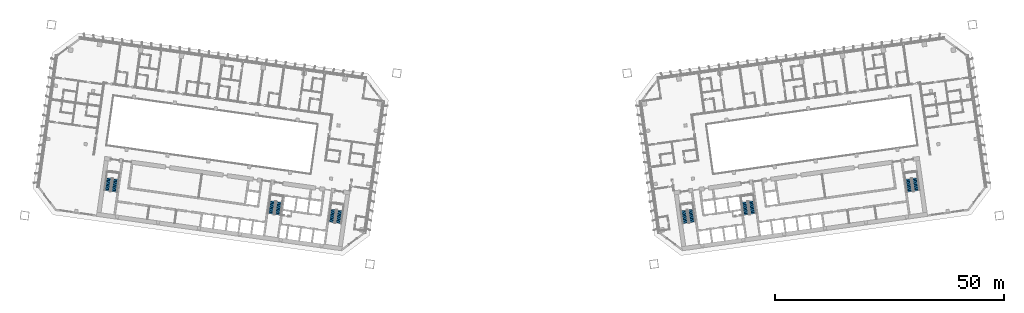
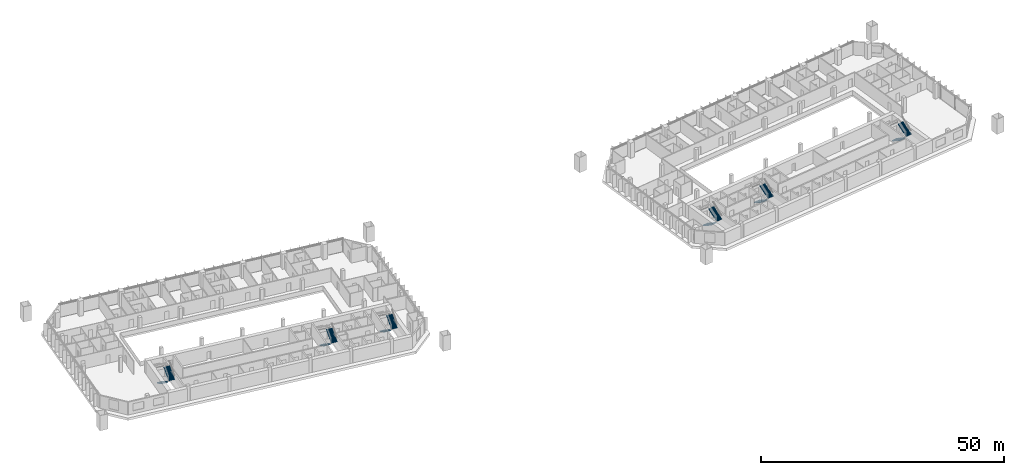
# One storey, part 23 of 25: 12 stair flights, 6 elements without a shape of their own.
"""IFC4 building model written with IfcOpenShell, lengths in metres."""

from ifc_helpers import new_model, si_unit, direction, frame, origin, place, context, subcontext, project, spatial, polyline, outline, extrude, material, type_object, element, aggregate, save


model = new_model("IFC4")

# Units and contexts
model_context = context("Model", 3, precision=1e-05, world=origin(), true_north=direction((0.0, 1.0)))
body_context = subcontext(model_context, "Body", "Model", "MODEL_VIEW")
ifc_project = project(units=[si_unit("LENGTHUNIT", "METRE"), si_unit("AREAUNIT", "SQUARE_METRE"), si_unit("VOLUMEUNIT", "CUBIC_METRE"), si_unit("PLANEANGLEUNIT", "RADIAN"), si_unit("MASSUNIT", "GRAM", prefix="KILO")], contexts=[model_context])

# Site, building, storey
site_placement = place(None, origin())
site = spatial("IfcSite", under=ifc_project, at=site_placement, CompositionType="ELEMENT")
building_placement = place(site_placement, origin())
building = spatial("IfcBuilding", under=site, at=building_placement, Name="Mirante Cascada Hotel Towers", CompositionType="ELEMENT")
storey_placement = place(building_placement, frame((0.0, 0.0, 62.3)))
storey = spatial("IfcBuildingStorey", under=building, at=storey_placement, Name="L12", CompositionType="ELEMENT", Elevation=62.3)

# Stair, stair flights
ifc_material_1 = material(Name="Concrete C35/45", Category="concrete")
stair_type = type_object("IfcStairType", Name="Exit stair half-turn 1350 concrete C35/45", PredefinedType="HALF_TURN_STAIR", material=ifc_material_1)
stair_1_placement = place(storey_placement, origin())
stair_1 = element("IfcStair", 1, at=stair_1_placement, inside=storey, type_object=stair_type, Name="L12 Exit stair A", PredefinedType="HALF_TURN_STAIR")
ifc_material_2 = material(Name="Concrete C35/45", Category="concrete")
stair_flight_type = type_object("IfcStairFlightType", Name="Exit stair flight 1350 concrete C35/45", PredefinedType="STRAIGHT", material=ifc_material_2)
stair_flight_1_placement = place(storey_placement, frame((-38.9417, -11.195, 0.0), z_axis=(0.0, 0.0, 1.0), x_axis=(-0.1391731, -0.9902681, 0.0)))
stair_flight_1 = element("IfcStairFlight", 2, at=stair_flight_1_placement, type_object=stair_flight_type, Name="ST1-A flight 1", NumberOfRisers=11, NumberOfTreads=10, PredefinedType="STRAIGHT", RiserHeight=0.172727273, TreadLength=0.28, context=body_context, shape_type="SweptSolid", body=[
    extrude(outline(polyline([(0.0, 0.0), (0.0, 0.1727), (0.28, 0.1727), (0.28, 0.3455), (0.56, 0.3455), (0.56, 0.5182), (0.84, 0.5182), (0.84, 0.6909), (1.12, 0.6909), (1.12, 0.8636), (1.4, 0.8636), (1.4, 1.0364), (1.68, 1.0364), (1.68, 1.2091), (1.96, 1.2091), (1.96, 1.3818), (2.24, 1.3818), (2.24, 1.5545), (2.52, 1.5545), (2.52, 1.7273), (2.8, 1.7273), (2.8, 1.9), (2.8, 1.551), (0.2857, 0.0), (0.0, 0.0)])), frame((0.0, 0.675, 0.0), z_axis=(0.0, -1.0, 0.0), x_axis=(1.0, 0.0, 0.0)), (0.0, 0.0, 1.0), 1.35),
])
stair_flight_2_placement = place(storey_placement, frame((-37.846, -14.1765, 1.9), z_axis=(0.0, 0.0, 1.0), x_axis=(0.1391731, 0.9902681, 0.0)))
stair_flight_2 = element("IfcStairFlight", 3, at=stair_flight_2_placement, type_object=stair_flight_type, Name="ST1-A flight 2", NumberOfRisers=11, NumberOfTreads=10, PredefinedType="STRAIGHT", RiserHeight=0.172727273, TreadLength=0.28, context=body_context, shape_type="SweptSolid", body=[
    extrude(outline(polyline([(0.0, 0.0), (0.0, 0.1727), (0.28, 0.1727), (0.28, 0.3455), (0.56, 0.3455), (0.56, 0.5182), (0.84, 0.5182), (0.84, 0.6909), (1.12, 0.6909), (1.12, 0.8636), (1.4, 0.8636), (1.4, 1.0364), (1.68, 1.0364), (1.68, 1.2091), (1.96, 1.2091), (1.96, 1.3818), (2.24, 1.3818), (2.24, 1.5545), (2.52, 1.5545), (2.52, 1.7273), (2.8, 1.7273), (2.8, 1.9), (2.8, 1.551), (0.2857, 0.0), (0.0, 0.0)])), frame((0.0, 0.675, 0.0), z_axis=(0.0, -1.0, 0.0), x_axis=(1.0, 0.0, 0.0)), (0.0, 0.0, 1.0), 1.35),
])
aggregate(stair_1, [stair_flight_1, stair_flight_2])

stair_2_placement = place(storey_placement, origin())
stair_2 = element("IfcStair", 4, at=stair_2_placement, inside=storey, type_object=stair_type, Name="L12 Exit stair B", PredefinedType="HALF_TURN_STAIR")
stair_flight_3_placement = place(storey_placement, frame((-52.1618, -9.3371, 0.0), z_axis=(0.0, 0.0, 1.0), x_axis=(-0.1391731, -0.9902681, 0.0)))
stair_flight_3 = element("IfcStairFlight", 5, at=stair_flight_3_placement, type_object=stair_flight_type, Name="ST1-B flight 1", NumberOfRisers=11, NumberOfTreads=10, PredefinedType="STRAIGHT", RiserHeight=0.172727273, TreadLength=0.28, context=body_context, shape_type="SweptSolid", body=[
    extrude(outline(polyline([(0.0, 0.0), (0.0, 0.1727), (0.28, 0.1727), (0.28, 0.3455), (0.56, 0.3455), (0.56, 0.5182), (0.84, 0.5182), (0.84, 0.6909), (1.12, 0.6909), (1.12, 0.8636), (1.4, 0.8636), (1.4, 1.0364), (1.68, 1.0364), (1.68, 1.2091), (1.96, 1.2091), (1.96, 1.3818), (2.24, 1.3818), (2.24, 1.5545), (2.52, 1.5545), (2.52, 1.7273), (2.8, 1.7273), (2.8, 1.9), (2.8, 1.551), (0.2857, 0.0), (0.0, 0.0)])), frame((0.0, 0.675, 0.0), z_axis=(0.0, -1.0, 0.0), x_axis=(1.0, 0.0, 0.0)), (0.0, 0.0, 1.0), 1.35),
])
stair_flight_4_placement = place(storey_placement, frame((-51.0661, -12.3186, 1.9), z_axis=(0.0, 0.0, 1.0), x_axis=(0.1391731, 0.9902681, 0.0)))
stair_flight_4 = element("IfcStairFlight", 6, at=stair_flight_4_placement, type_object=stair_flight_type, Name="ST1-B flight 2", NumberOfRisers=11, NumberOfTreads=10, PredefinedType="STRAIGHT", RiserHeight=0.172727273, TreadLength=0.28, context=body_context, shape_type="SweptSolid", body=[
    extrude(outline(polyline([(0.0, 0.0), (0.0, 0.1727), (0.28, 0.1727), (0.28, 0.3455), (0.56, 0.3455), (0.56, 0.5182), (0.84, 0.5182), (0.84, 0.6909), (1.12, 0.6909), (1.12, 0.8636), (1.4, 0.8636), (1.4, 1.0364), (1.68, 1.0364), (1.68, 1.2091), (1.96, 1.2091), (1.96, 1.3818), (2.24, 1.3818), (2.24, 1.5545), (2.52, 1.5545), (2.52, 1.7273), (2.8, 1.7273), (2.8, 1.9), (2.8, 1.551), (0.2857, 0.0), (0.0, 0.0)])), frame((0.0, 0.675, 0.0), z_axis=(0.0, -1.0, 0.0), x_axis=(1.0, 0.0, 0.0)), (0.0, 0.0, 1.0), 1.35),
])
aggregate(stair_2, [stair_flight_3, stair_flight_4])

stair_3_placement = place(storey_placement, origin())
stair_3 = element("IfcStair", 7, at=stair_3_placement, inside=storey, type_object=stair_type, Name="L12 Exit stair C", PredefinedType="HALF_TURN_STAIR")
stair_flight_5_placement = place(storey_placement, frame((-87.8115, -4.3268, 0.0), z_axis=(0.0, 0.0, 1.0), x_axis=(-0.1391731, -0.9902681, 0.0)))
stair_flight_5 = element("IfcStairFlight", 8, at=stair_flight_5_placement, type_object=stair_flight_type, Name="ST1-C flight 1", NumberOfRisers=11, NumberOfTreads=10, PredefinedType="STRAIGHT", RiserHeight=0.172727273, TreadLength=0.28, context=body_context, shape_type="SweptSolid", body=[
    extrude(outline(polyline([(0.0, 0.0), (0.0, 0.1727), (0.28, 0.1727), (0.28, 0.3455), (0.56, 0.3455), (0.56, 0.5182), (0.84, 0.5182), (0.84, 0.6909), (1.12, 0.6909), (1.12, 0.8636), (1.4, 0.8636), (1.4, 1.0364), (1.68, 1.0364), (1.68, 1.2091), (1.96, 1.2091), (1.96, 1.3818), (2.24, 1.3818), (2.24, 1.5545), (2.52, 1.5545), (2.52, 1.7273), (2.8, 1.7273), (2.8, 1.9), (2.8, 1.551), (0.2857, 0.0), (0.0, 0.0)])), frame((0.0, 0.675, 0.0), z_axis=(0.0, -1.0, 0.0), x_axis=(1.0, 0.0, 0.0)), (0.0, 0.0, 1.0), 1.35),
])
stair_flight_6_placement = place(storey_placement, frame((-86.7157, -7.3084, 1.9), z_axis=(0.0, 0.0, 1.0), x_axis=(0.1391731, 0.9902681, 0.0)))
stair_flight_6 = element("IfcStairFlight", 9, at=stair_flight_6_placement, type_object=stair_flight_type, Name="ST1-C flight 2", NumberOfRisers=11, NumberOfTreads=10, PredefinedType="STRAIGHT", RiserHeight=0.172727273, TreadLength=0.28, context=body_context, shape_type="SweptSolid", body=[
    extrude(outline(polyline([(0.0, 0.0), (0.0, 0.1727), (0.28, 0.1727), (0.28, 0.3455), (0.56, 0.3455), (0.56, 0.5182), (0.84, 0.5182), (0.84, 0.6909), (1.12, 0.6909), (1.12, 0.8636), (1.4, 0.8636), (1.4, 1.0364), (1.68, 1.0364), (1.68, 1.2091), (1.96, 1.2091), (1.96, 1.3818), (2.24, 1.3818), (2.24, 1.5545), (2.52, 1.5545), (2.52, 1.7273), (2.8, 1.7273), (2.8, 1.9), (2.8, 1.551), (0.2857, 0.0), (0.0, 0.0)])), frame((0.0, 0.675, 0.0), z_axis=(0.0, -1.0, 0.0), x_axis=(1.0, 0.0, 0.0)), (0.0, 0.0, 1.0), 1.35),
])
aggregate(stair_3, [stair_flight_5, stair_flight_6])

stair_4_placement = place(storey_placement, origin())
stair_4 = element("IfcStair", 10, at=stair_4_placement, inside=storey, type_object=stair_type, Name="L12 Exit stair A", PredefinedType="HALF_TURN_STAIR")
stair_flight_7_placement = place(storey_placement, frame((37.4563, -11.4038, 0.0), z_axis=(0.0, 0.0, 1.0), x_axis=(0.1391731, -0.9902681, 0.0)))
stair_flight_7 = element("IfcStairFlight", 11, at=stair_flight_7_placement, type_object=stair_flight_type, Name="ST2-A flight 1", NumberOfRisers=11, NumberOfTreads=10, PredefinedType="STRAIGHT", RiserHeight=0.172727273, TreadLength=0.28, context=body_context, shape_type="SweptSolid", body=[
    extrude(outline(polyline([(0.0, 0.0), (0.0, 0.1727), (0.28, 0.1727), (0.28, 0.3455), (0.56, 0.3455), (0.56, 0.5182), (0.84, 0.5182), (0.84, 0.6909), (1.12, 0.6909), (1.12, 0.8636), (1.4, 0.8636), (1.4, 1.0364), (1.68, 1.0364), (1.68, 1.2091), (1.96, 1.2091), (1.96, 1.3818), (2.24, 1.3818), (2.24, 1.5545), (2.52, 1.5545), (2.52, 1.7273), (2.8, 1.7273), (2.8, 1.9), (2.8, 1.551), (0.2857, 0.0), (0.0, 0.0)])), frame((0.0, 0.675, 0.0), z_axis=(0.0, -1.0, 0.0), x_axis=(1.0, 0.0, 0.0)), (0.0, 0.0, 1.0), 1.35),
])
stair_flight_8_placement = place(storey_placement, frame((39.3314, -13.9678, 1.9), z_axis=(0.0, 0.0, 1.0), x_axis=(-0.1391731, 0.9902681, 0.0)))
stair_flight_8 = element("IfcStairFlight", 12, at=stair_flight_8_placement, type_object=stair_flight_type, Name="ST2-A flight 2", NumberOfRisers=11, NumberOfTreads=10, PredefinedType="STRAIGHT", RiserHeight=0.172727273, TreadLength=0.28, context=body_context, shape_type="SweptSolid", body=[
    extrude(outline(polyline([(0.0, 0.0), (0.0, 0.1727), (0.28, 0.1727), (0.28, 0.3455), (0.56, 0.3455), (0.56, 0.5182), (0.84, 0.5182), (0.84, 0.6909), (1.12, 0.6909), (1.12, 0.8636), (1.4, 0.8636), (1.4, 1.0364), (1.68, 1.0364), (1.68, 1.2091), (1.96, 1.2091), (1.96, 1.3818), (2.24, 1.3818), (2.24, 1.5545), (2.52, 1.5545), (2.52, 1.7273), (2.8, 1.7273), (2.8, 1.9), (2.8, 1.551), (0.2857, 0.0), (0.0, 0.0)])), frame((0.0, 0.675, 0.0), z_axis=(0.0, -1.0, 0.0), x_axis=(1.0, 0.0, 0.0)), (0.0, 0.0, 1.0), 1.35),
])
aggregate(stair_4, [stair_flight_7, stair_flight_8])

stair_5_placement = place(storey_placement, origin())
stair_5 = element("IfcStair", 13, at=stair_5_placement, inside=storey, type_object=stair_type, Name="L12 Exit stair B", PredefinedType="HALF_TURN_STAIR")
stair_flight_9_placement = place(storey_placement, frame((50.6764, -9.5458, 0.0), z_axis=(0.0, 0.0, 1.0), x_axis=(0.1391731, -0.9902681, 0.0)))
stair_flight_9 = element("IfcStairFlight", 14, at=stair_flight_9_placement, type_object=stair_flight_type, Name="ST2-B flight 1", NumberOfRisers=11, NumberOfTreads=10, PredefinedType="STRAIGHT", RiserHeight=0.172727273, TreadLength=0.28, context=body_context, shape_type="SweptSolid", body=[
    extrude(outline(polyline([(0.0, 0.0), (0.0, 0.1727), (0.28, 0.1727), (0.28, 0.3455), (0.56, 0.3455), (0.56, 0.5182), (0.84, 0.5182), (0.84, 0.6909), (1.12, 0.6909), (1.12, 0.8636), (1.4, 0.8636), (1.4, 1.0364), (1.68, 1.0364), (1.68, 1.2091), (1.96, 1.2091), (1.96, 1.3818), (2.24, 1.3818), (2.24, 1.5545), (2.52, 1.5545), (2.52, 1.7273), (2.8, 1.7273), (2.8, 1.9), (2.8, 1.551), (0.2857, 0.0), (0.0, 0.0)])), frame((0.0, 0.675, 0.0), z_axis=(0.0, -1.0, 0.0), x_axis=(1.0, 0.0, 0.0)), (0.0, 0.0, 1.0), 1.35),
])
stair_flight_10_placement = place(storey_placement, frame((52.5515, -12.1098, 1.9), z_axis=(0.0, 0.0, 1.0), x_axis=(-0.1391731, 0.9902681, 0.0)))
stair_flight_10 = element("IfcStairFlight", 15, at=stair_flight_10_placement, type_object=stair_flight_type, Name="ST2-B flight 2", NumberOfRisers=11, NumberOfTreads=10, PredefinedType="STRAIGHT", RiserHeight=0.172727273, TreadLength=0.28, context=body_context, shape_type="SweptSolid", body=[
    extrude(outline(polyline([(0.0, 0.0), (0.0, 0.1727), (0.28, 0.1727), (0.28, 0.3455), (0.56, 0.3455), (0.56, 0.5182), (0.84, 0.5182), (0.84, 0.6909), (1.12, 0.6909), (1.12, 0.8636), (1.4, 0.8636), (1.4, 1.0364), (1.68, 1.0364), (1.68, 1.2091), (1.96, 1.2091), (1.96, 1.3818), (2.24, 1.3818), (2.24, 1.5545), (2.52, 1.5545), (2.52, 1.7273), (2.8, 1.7273), (2.8, 1.9), (2.8, 1.551), (0.2857, 0.0), (0.0, 0.0)])), frame((0.0, 0.675, 0.0), z_axis=(0.0, -1.0, 0.0), x_axis=(1.0, 0.0, 0.0)), (0.0, 0.0, 1.0), 1.35),
])
aggregate(stair_5, [stair_flight_9, stair_flight_10])

stair_6_placement = place(storey_placement, origin())
stair_6 = element("IfcStair", 16, at=stair_6_placement, inside=storey, type_object=stair_type, Name="L12 Exit stair C", PredefinedType="HALF_TURN_STAIR")
stair_flight_11_placement = place(storey_placement, frame((86.326, -4.5356, 0.0), z_axis=(0.0, 0.0, 1.0), x_axis=(0.1391731, -0.9902681, 0.0)))
stair_flight_11 = element("IfcStairFlight", 17, at=stair_flight_11_placement, type_object=stair_flight_type, Name="ST2-C flight 1", NumberOfRisers=11, NumberOfTreads=10, PredefinedType="STRAIGHT", RiserHeight=0.172727273, TreadLength=0.28, context=body_context, shape_type="SweptSolid", body=[
    extrude(outline(polyline([(0.0, 0.0), (0.0, 0.1727), (0.28, 0.1727), (0.28, 0.3455), (0.56, 0.3455), (0.56, 0.5182), (0.84, 0.5182), (0.84, 0.6909), (1.12, 0.6909), (1.12, 0.8636), (1.4, 0.8636), (1.4, 1.0364), (1.68, 1.0364), (1.68, 1.2091), (1.96, 1.2091), (1.96, 1.3818), (2.24, 1.3818), (2.24, 1.5545), (2.52, 1.5545), (2.52, 1.7273), (2.8, 1.7273), (2.8, 1.9), (2.8, 1.551), (0.2857, 0.0), (0.0, 0.0)])), frame((0.0, 0.675, 0.0), z_axis=(0.0, -1.0, 0.0), x_axis=(1.0, 0.0, 0.0)), (0.0, 0.0, 1.0), 1.35),
])
stair_flight_12_placement = place(storey_placement, frame((88.2011, -7.0996, 1.9), z_axis=(0.0, 0.0, 1.0), x_axis=(-0.1391731, 0.9902681, 0.0)))
stair_flight_12 = element("IfcStairFlight", 18, at=stair_flight_12_placement, type_object=stair_flight_type, Name="ST2-C flight 2", NumberOfRisers=11, NumberOfTreads=10, PredefinedType="STRAIGHT", RiserHeight=0.172727273, TreadLength=0.28, context=body_context, shape_type="SweptSolid", body=[
    extrude(outline(polyline([(0.0, 0.0), (0.0, 0.1727), (0.28, 0.1727), (0.28, 0.3455), (0.56, 0.3455), (0.56, 0.5182), (0.84, 0.5182), (0.84, 0.6909), (1.12, 0.6909), (1.12, 0.8636), (1.4, 0.8636), (1.4, 1.0364), (1.68, 1.0364), (1.68, 1.2091), (1.96, 1.2091), (1.96, 1.3818), (2.24, 1.3818), (2.24, 1.5545), (2.52, 1.5545), (2.52, 1.7273), (2.8, 1.7273), (2.8, 1.9), (2.8, 1.551), (0.2857, 0.0), (0.0, 0.0)])), frame((0.0, 0.675, 0.0), z_axis=(0.0, -1.0, 0.0), x_axis=(1.0, 0.0, 0.0)), (0.0, 0.0, 1.0), 1.35),
])
aggregate(stair_6, [stair_flight_11, stair_flight_12])

save(model, "model.ifc")
